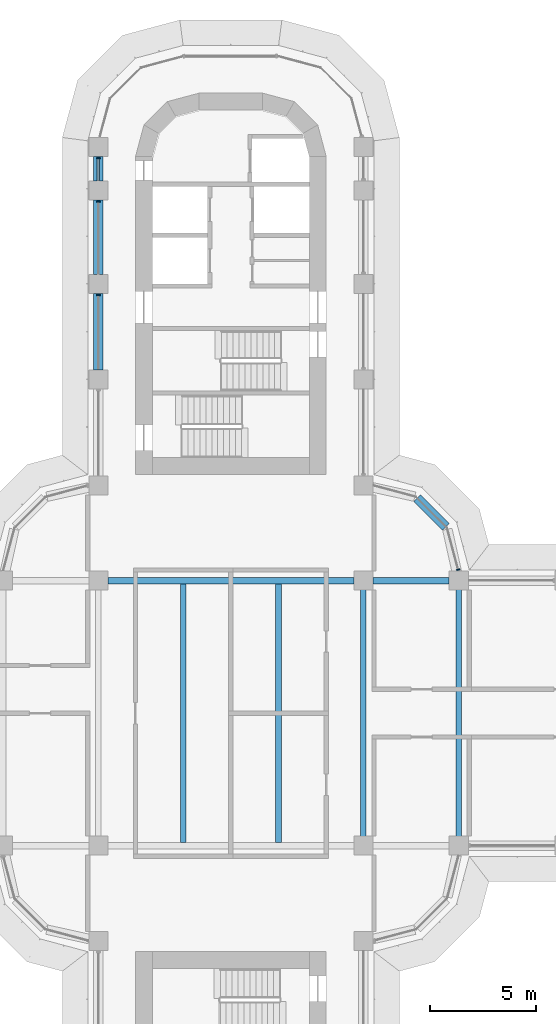
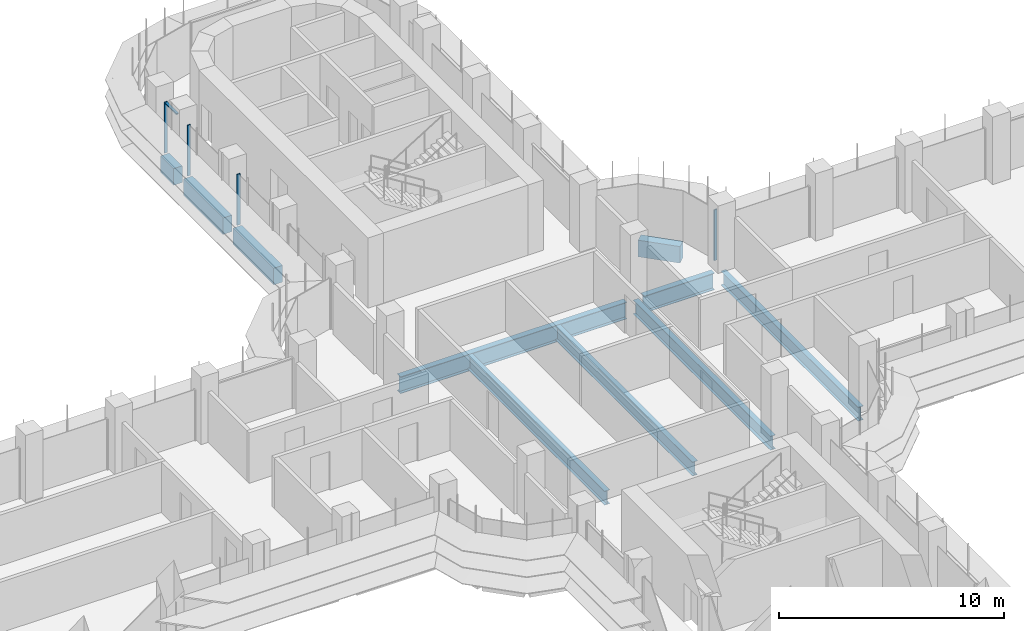
# One storey, part 7 of 22: 10 beams, 5 members, 2 elements without a shape of their own.
"""IFC4 building model written with IfcOpenShell, lengths in metres."""

from ifc_helpers import new_model, si_unit, direction, frame, origin, origin_2d, place, context, subcontext, project, spatial, polyline, rectangle, i_section, outline, extrude, source, transform, mapped, material, material_profile, profile_set, type_object, element, aggregate, save


model = new_model("IFC4")

# Units and contexts
model_context = context("Model", 3, precision=1e-05, world=origin(), true_north=direction((0.0, 1.0)))
body_context = subcontext(model_context, "Body", "Model", "MODEL_VIEW")
ifc_project = project(units=[si_unit("LENGTHUNIT", "METRE"), si_unit("AREAUNIT", "SQUARE_METRE"), si_unit("VOLUMEUNIT", "CUBIC_METRE"), si_unit("PLANEANGLEUNIT", "RADIAN"), si_unit("MASSUNIT", "GRAM", prefix="KILO")], contexts=[model_context])

# Site, building, storey
site_placement = place(None, origin())
site = spatial("IfcSite", under=ifc_project, at=site_placement, CompositionType="ELEMENT")
building_placement = place(site_placement, origin())
building = spatial("IfcBuilding", under=site, at=building_placement, Name="Zarbagh Exchange Tower", CompositionType="ELEMENT")
storey_placement = place(building_placement, frame((0.0, 0.0, 98.0)))
storey = spatial("IfcBuildingStorey", under=building, at=storey_placement, Name="L22", CompositionType="ELEMENT", Elevation=98.0)

# Beams
ifc_material_1 = material(Name="Steel ASTM A992 Gr 50", Category="steel")
ifc_material_profile_1 = material_profile(ifc_material_1, i_section(OverallWidth=0.2666015625, OverallDepth=0.7568359375, WebThickness=0.013916015625, FlangeThickness=0.019287109375, at=origin_2d()), Name="W30X108")
ifc_profile_set_1 = profile_set([ifc_material_profile_1], Name="Steel ASTM A992 Gr 50")
beam_type_1 = type_object("IfcBeamType", Name="Floor beam W30X108", PredefinedType="BEAM", material=ifc_profile_set_1)
for number, where, z_axis, x_axis, name in (
    (1, (-2.25, -6.09765625, -0.5283203125), (0.0, 1.0, 0.0), (-1.0, 0.0, 0.0), "Steel floor beam"),
    (2, (2.25, -6.09765625, -0.5283203125), (0.0, 1.0, 0.0), (-1.0, 0.0, 0.0), "Steel floor beam"),
    (3, (6.25, -6.09765625, -0.5283203125), (0.0, 1.0, 0.0), (-1.0, 0.0, 0.0), "Steel floor beam"),
    (4, (10.75, -6.09765625, -0.5283203125), (0.0, 1.0, 0.0), (-1.0, 0.0, 0.0), "Steel floor beam"),
):
    element("IfcBeam", number, at=place(storey_placement, frame(where, z_axis=z_axis, x_axis=x_axis)), inside=storey, type_object=beam_type_1, Name=name, PredefinedType="BEAM", context=body_context, shape_type="SweptSolid", body=[
        extrude(i_section(OverallWidth=0.2666015625, OverallDepth=0.7568359375, WebThickness=0.013916015625, FlangeThickness=0.019287109375, at=origin_2d()), origin(), (0.0, 0.0, 1.0), 12.1953125),
    ])
ifc_material_profile_2 = material_profile(ifc_material_1, i_section(OverallWidth=0.3046875, OverallDepth=0.911865234375, WebThickness=0.015869140625, FlangeThickness=0.02392578125, at=origin_2d()), Name="W36X150")
ifc_profile_set_2 = profile_set([ifc_material_profile_2], Name="Steel ASTM A992 Gr 50")
beam_type_2 = type_object("IfcBeamType", Name="Floor girder W36X150", PredefinedType="BEAM", material=ifc_profile_set_2)
beam_1_placement = place(storey_placement, frame((-5.800048828125, 6.25, -0.60595703125), z_axis=(1.0, 0.0, 0.0), x_axis=(0.0, 1.0, 0.0)))
element("IfcBeam", 5, at=beam_1_placement, inside=storey, type_object=beam_type_2, Name="Steel girder", PredefinedType="BEAM", context=body_context, shape_type="SweptSolid", body=[
    extrude(i_section(OverallWidth=0.3046875, OverallDepth=0.911865234375, WebThickness=0.015869140625, FlangeThickness=0.02392578125, at=origin_2d()), origin(), (0.0, 0.0, 1.0), 11.60009765625),
])
beam_2_placement = place(storey_placement, frame((6.699951171875, 6.25, -0.60595703125), z_axis=(1.0, 0.0, 0.0), x_axis=(0.0, 1.0, 0.0)))
element("IfcBeam", 6, at=beam_2_placement, inside=storey, type_object=beam_type_2, Name="Steel girder", PredefinedType="BEAM", context=body_context, shape_type="SweptSolid", body=[
    extrude(i_section(OverallWidth=0.3046875, OverallDepth=0.911865234375, WebThickness=0.015869140625, FlangeThickness=0.02392578125, at=origin_2d()), origin(), (0.0, 0.0, 1.0), 3.60009765625),
])
ifc_material_2 = material(Name="Concrete C60/75", Category="concrete")
ifc_material_profile_3 = material_profile(ifc_material_2, rectangle(XDim=0.449951171875, YDim=0.89990234375, at=origin_2d()), Name="RC spandrel beam 450 x 900 C60/75")
ifc_profile_set_3 = profile_set([ifc_material_profile_3], Name="Concrete C60/75")
beam_type_3 = type_object("IfcBeamType", Name="RC spandrel beam 450 x 900 C60/75", PredefinedType="SPANDREL", material=ifc_profile_set_3)
beam_3_placement = place(storey_placement, frame((-6.25, 16.199951171875, -0.60009765625), z_axis=(0.0, 1.0, 0.0), x_axis=(-1.0, 0.0, 0.0)))
element("IfcBeam", 7, at=beam_3_placement, inside=storey, type_object=beam_type_3, Name="RC spandrel beam", PredefinedType="SPANDREL", context=body_context, shape_type="SweptSolid", body=[
    extrude(rectangle(XDim=0.449951171875, YDim=0.89990234375, at=origin_2d()), origin(), (0.0, 0.0, 1.0), 3.60009765625),
])
beam_4_placement = place(storey_placement, frame((-6.25, 20.699951171875, -0.60009765625), z_axis=(0.0, 1.0, 0.0), x_axis=(-1.0, 0.0, 0.0)))
element("IfcBeam", 8, at=beam_4_placement, inside=storey, type_object=beam_type_3, Name="RC spandrel beam", PredefinedType="SPANDREL", context=body_context, shape_type="SweptSolid", body=[
    extrude(rectangle(XDim=0.449951171875, YDim=0.89990234375, at=origin_2d()), origin(), (0.0, 0.0, 1.0), 3.5),
])
beam_5_placement = place(storey_placement, frame((-6.25, 25.10009765625, -0.60009765625), z_axis=(0.0, 1.0, 0.0), x_axis=(-1.0, 0.0, 0.0)))
element("IfcBeam", 9, at=beam_5_placement, inside=storey, type_object=beam_type_3, Name="RC spandrel beam", PredefinedType="SPANDREL", context=body_context, shape_type="SweptSolid", body=[
    extrude(rectangle(XDim=0.449951171875, YDim=0.89990234375, at=origin_2d()), origin(), (0.0, 0.0, 1.0), 1.14990234375),
])
beam_6_placement = place(storey_placement, frame((8.78759765625, 10.15234375, -0.60009765625), z_axis=(0.707106781187, -0.707106781187, 0.0), x_axis=(0.707106781187, 0.707106781187, 0.0)))
element("IfcBeam", 10, at=beam_6_placement, inside=storey, type_object=beam_type_3, Name="RC spandrel beam", PredefinedType="SPANDREL", context=body_context, shape_type="SweptSolid", body=[
    extrude(rectangle(XDim=0.449951171875, YDim=0.89990234375, at=origin_2d()), origin(), (0.0, 0.0, 1.0), 1.929931640625),
])

# Curtain wall, member
ifc_material_3 = material(Name="Anodised aluminium frame and glazing", Category="aluminium")
curtain_wall_type = type_object("IfcCurtainWallType", Name="CWA Ribbon glazing, lower zones", PredefinedType="NOTDEFINED", material=ifc_material_3)
curtain_wall_1_placement = place(storey_placement, origin())
curtain_wall_1 = element("IfcCurtainWall", 11, at=curtain_wall_1_placement, inside=storey, type_object=curtain_wall_type, Name="CWA17 curtain wall", PredefinedType="NOTDEFINED")
ifc_material_4 = material(Name="Anodised aluminium frame", Category="aluminium")
member_type_1 = type_object("IfcMemberType", Name="MUA Mullion, anodised aluminium frame", PredefinedType="MULLION", material=ifc_material_4)
shared_shape_1 = source(origin(), body_context, "Body", "SweptSolid", [
    extrude(outline(polyline([(0.0, -0.080078125), (0.06005859375, -0.080078125), (0.06005859375, 0.080078125), (0.0, 0.080078125), (0.0, -0.080078125)])), origin(), (0.0, 0.0, 1.0), 2.75),
])
placement = place(storey_placement, origin())
member_1 = element("IfcMember", 12, at=placement, type_object=member_type_1, Name="CWA17 mullion 1.1", PredefinedType="MULLION", context=body_context, shape_type="MappedRepresentation", body=[
    mapped(shared_shape_1, transform((10.735107421875, 6.739990234375, 0.0), x_axis=(-0.258824779902, 0.965924289636, 0.0), y_axis=(-0.965924289636, -0.258824779902, 0.0), z_axis=(0.0, 0.0, 1.0))),
])
aggregate(curtain_wall_1, [member_1])

# Curtain wall, members
curtain_wall_2_placement = place(storey_placement, origin())
curtain_wall_2 = element("IfcCurtainWall", 13, at=curtain_wall_2_placement, inside=storey, type_object=curtain_wall_type, Name="CWA56 curtain wall", PredefinedType="NOTDEFINED")
member_2 = element("IfcMember", 14, at=placement, type_object=member_type_1, Name="CWA56 mullion 1.1", PredefinedType="MULLION", context=body_context, shape_type="MappedRepresentation", body=[
    mapped(shared_shape_1, transform((-6.25, 26.2099609375, 0.0), x_axis=(0.0, -1.0, 0.0), y_axis=(1.0, 0.0, 0.0), z_axis=(0.0, 0.0, 1.0))),
])
member_3 = element("IfcMember", 15, at=placement, type_object=member_type_1, Name="CWA56 mullion 2.1", PredefinedType="MULLION", context=body_context, shape_type="MappedRepresentation", body=[
    mapped(shared_shape_1, transform((-6.25, 24.159912109375, 0.0), x_axis=(0.0, -1.0, 0.0), y_axis=(1.0, 0.0, 0.0), z_axis=(0.0, 0.0, 1.0))),
])
member_4 = element("IfcMember", 16, at=placement, type_object=member_type_1, Name="CWA56 mullion 3.1", PredefinedType="MULLION", context=body_context, shape_type="MappedRepresentation", body=[
    mapped(shared_shape_1, transform((-6.25, 19.760009765625, 0.0), x_axis=(0.0, -1.0, 0.0), y_axis=(1.0, 0.0, 0.0), z_axis=(0.0, 0.0, 1.0))),
])
member_type_2 = type_object("IfcMemberType", Name="TRA Transom, anodised aluminium frame", PredefinedType="USERDEFINED", material=ifc_material_4)
shared_shape_2 = source(origin(), body_context, "Body", "SweptSolid", [
    extrude(outline(polyline([(-0.06005859375, -0.06005859375), (0.0, -0.06005859375), (0.0, 0.06005859375), (-0.06005859375, 0.06005859375), (-0.06005859375, -0.06005859375)])), origin(), (0.0, 0.0, 1.0), 1.010009765625),
])
member_5 = element("IfcMember", 17, at=placement, type_object=member_type_2, Name="CWA56 transom 1.1", ObjectType="TRANSOM", PredefinedType="USERDEFINED", context=body_context, shape_type="MappedRepresentation", body=[
    mapped(shared_shape_2, transform((-6.25, 26.14990234375, 2.75), x_axis=(0.0, 0.0, 1.0), y_axis=(-1.0, 0.0, 0.0), z_axis=(0.0, -1.0, 0.0))),
])
aggregate(curtain_wall_2, [member_2, member_5, member_3, member_4])

save(model, "model.ifc")
